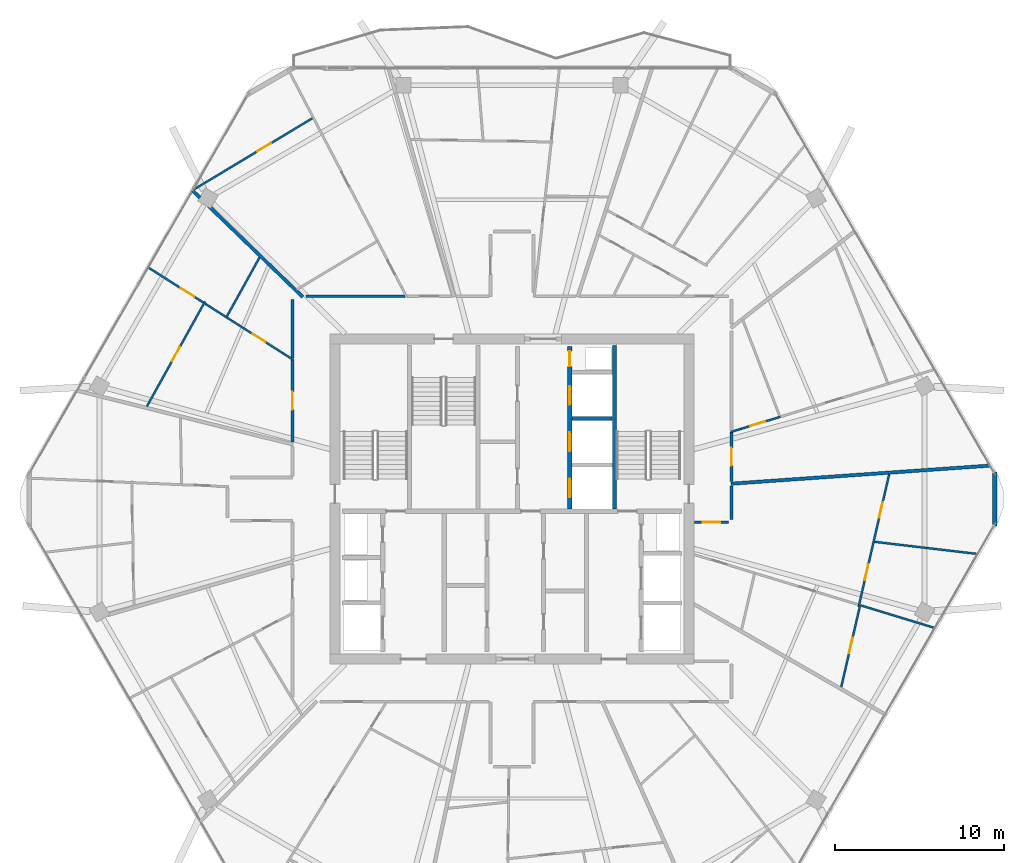
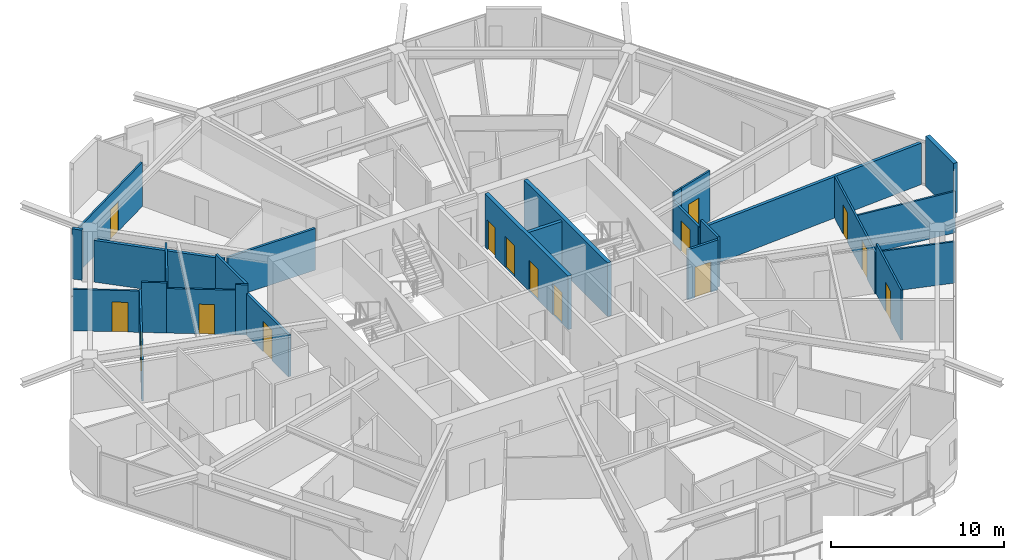
# One storey, part 22 of 26: 26 walls, 15 doors, 15 openings.
"""IFC4 building model written with IfcOpenShell, lengths in metres."""

from ifc_helpers import new_model, si_unit, direction, frame, frame_2d, origin, place, context, subcontext, project, spatial, rectangle, extrude, material, layer, layer_set, type_object, element, fill, save


model = new_model("IFC4")

# Units and contexts
model_context = context("Model", 3, precision=1e-05, world=origin(), true_north=direction((0.0, 1.0)))
body_context = subcontext(model_context, "Body", "Model", "MODEL_VIEW")
ifc_project = project(units=[si_unit("LENGTHUNIT", "METRE"), si_unit("AREAUNIT", "SQUARE_METRE"), si_unit("VOLUMEUNIT", "CUBIC_METRE"), si_unit("PLANEANGLEUNIT", "RADIAN"), si_unit("MASSUNIT", "GRAM", prefix="KILO")], contexts=[model_context])

# Site, building, storey
site_placement = place(None, origin())
site = spatial("IfcSite", under=ifc_project, at=site_placement, CompositionType="ELEMENT")
building_placement = place(site_placement, origin())
building = spatial("IfcBuilding", under=site, at=building_placement, Name="Zuhravey Tower", CompositionType="ELEMENT")
storey_placement = place(building_placement, frame((0.0, 0.0, 242.60009765625)))
storey = spatial("IfcBuildingStorey", under=building, at=storey_placement, Name="L61", CompositionType="ELEMENT", Elevation=242.60009765625)

# Wall, opening, door
ifc_material_1 = material(Name="Gypsum fire-rated stud partition")
ifc_layer_1 = layer(ifc_material_1, 0.159912109375)
ifc_layer_set_1 = layer_set([ifc_layer_1], Name="Gypsum fire-rated stud partition")
wall_type_1 = type_object("IfcWallType", Name="Corridor Fire Partition 160", PredefinedType="PARTITIONING", material=ifc_layer_set_1)
wall_1_placement = place(storey_placement, frame((22.969970703125, 40.27099609375, 0.0), z_axis=(0.0, 0.0, 1.0), x_axis=(0.0, -1.0, 0.0)))
wall_1 = element("IfcWall", 1, at=wall_1_placement, inside=storey, type_object=wall_type_1, Name="L61 IW16 Partition 029", PredefinedType="PARTITIONING", context=body_context, shape_type="SweptSolid", body=[
    extrude(rectangle(XDim=4.880615234375, YDim=0.159912109375, at=frame_2d((2.4404296875, 0.0))), origin(), (0.0, 0.0, 1.0), 2.949951171875),
])
opening_1_placement = place(wall_1_placement, frame((1.915283203125, 0.0, 0.0)))
opening_1 = element("IfcOpeningElement", 2, at=opening_1_placement, cuts=wall_1, Name="Opening APD1", PredefinedType="OPENING", context=body_context, shape_type="SweptSolid", body=[
    extrude(rectangle(XDim=1.050048828125, YDim=2.14990234375, at=frame_2d((0.52490234375, 1.074951171875))), frame((0.0, 0.092041015625, 0.0), z_axis=(0.0, -1.0, 0.0), x_axis=(1.0, 0.0, 0.0)), (0.0, 0.0, 1.0), 0.183837890625),
])
ifc_material_2 = material(Name="Solid-core oak fire-rated leaf")
door_type_1 = type_object("IfcDoorType", Name="Apartment Entrance Fire Door 1050x2150", OperationType="NOTDEFINED", PredefinedType="DOOR", material=ifc_material_2)
door_1_placement = place(opening_1_placement, frame((1.050048828125, 0.0, 0.0), z_axis=(0.0, 0.0, 1.0), x_axis=(-1.0, 0.0, 0.0)))
door_1 = element("IfcDoor", 3, at=door_1_placement, inside=storey, type_object=door_type_1, Name="L61 Door 029.1", OperationType="SINGLE_SWING_LEFT", OverallHeight=2.14990234375, OverallWidth=1.050048828125, PredefinedType="DOOR", context=body_context, shape_type="SweptSolid", body=[
    extrude(rectangle(XDim=1.050048828125, YDim=2.14990234375, at=frame_2d((0.52490234375, 1.074951171875))), frame((0.0, 0.02490234375, 0.0), z_axis=(0.0, -1.0, 0.0), x_axis=(1.0, 0.0, 0.0)), (0.0, 0.0, 1.0), 0.050048828125),
])
fill(opening_1, door_1)

wall_2_placement = place(storey_placement, frame((46.820068359375, 30.6201171875, 0.0), z_axis=(0.0, 0.0, 1.0), x_axis=(1.0, 0.0, 0.0)))
wall_2 = element("IfcWall", 4, at=wall_2_placement, inside=storey, type_object=wall_type_1, Name="L61 IW16 Partition 056", PredefinedType="PARTITIONING", context=body_context, shape_type="SweptSolid", body=[
    extrude(rectangle(XDim=2.030029296875, YDim=0.159912109375, at=frame_2d((1.01513671875, 0.0))), origin(), (0.0, 0.0, 1.0), 3.5498046875),
])
opening_2_placement = place(wall_2_placement, frame((0.489990234375, 0.0, 0.0)))
opening_2 = element("IfcOpeningElement", 5, at=opening_2_placement, cuts=wall_2, Name="Opening APD1", PredefinedType="OPENING", context=body_context, shape_type="SweptSolid", body=[
    extrude(rectangle(XDim=1.050048828125, YDim=2.14990234375, at=frame_2d((0.52490234375, 1.074951171875))), frame((0.0, 0.092041015625, 0.0), z_axis=(0.0, -1.0, 0.0), x_axis=(1.0, 0.0, 0.0)), (0.0, 0.0, 1.0), 0.183837890625),
])
door_2_placement = place(opening_2_placement, frame((1.050048828125, 0.0, 0.0), z_axis=(0.0, 0.0, 1.0), x_axis=(-1.0, 0.0, 0.0)))
door_2 = element("IfcDoor", 6, at=door_2_placement, inside=storey, type_object=door_type_1, Name="L61 Door 056.1", OperationType="SINGLE_SWING_LEFT", OverallHeight=2.14990234375, OverallWidth=1.050048828125, PredefinedType="DOOR", context=body_context, shape_type="SweptSolid", body=[
    extrude(rectangle(XDim=1.050048828125, YDim=2.14990234375, at=frame_2d((0.52490234375, 1.074951171875))), frame((0.0, 0.02490234375, 0.0), z_axis=(0.0, -1.0, 0.0), x_axis=(1.0, 0.0, 0.0)), (0.0, 0.0, 1.0), 0.050048828125),
])
fill(opening_2, door_2)

wall_3_placement = place(storey_placement, frame((49.030029296875, 33.04541015625, 0.0), z_axis=(0.0, 0.0, 1.0), x_axis=(0.0, 1.0, 0.0)))
wall_3 = element("IfcWall", 7, at=wall_3_placement, inside=storey, type_object=wall_type_1, Name="L61 IW16 Partition 060", PredefinedType="PARTITIONING", context=body_context, shape_type="SweptSolid", body=[
    extrude(rectangle(XDim=2.92724609375, YDim=0.159912109375, at=frame_2d((1.463623046875, 0.0))), origin(), (0.0, 0.0, 1.0), 2.949951171875),
])
opening_3_placement = place(wall_3_placement, frame((0.938720703125, 0.0, 0.0)))
opening_3 = element("IfcOpeningElement", 8, at=opening_3_placement, cuts=wall_3, Name="Opening APD1", PredefinedType="OPENING", context=body_context, shape_type="SweptSolid", body=[
    extrude(rectangle(XDim=1.050048828125, YDim=2.14990234375, at=frame_2d((0.52490234375, 1.074951171875))), frame((0.0, 0.092041015625, 0.0), z_axis=(0.0, -1.0, 0.0), x_axis=(1.0, 0.0, 0.0)), (0.0, 0.0, 1.0), 0.183837890625),
])
door_3_placement = place(opening_3_placement, frame((1.050048828125, 0.0, 0.0), z_axis=(0.0, 0.0, 1.0), x_axis=(-1.0, 0.0, 0.0)))
door_3 = element("IfcDoor", 9, at=door_3_placement, inside=storey, type_object=door_type_1, Name="L61 Door 060.1", OperationType="SINGLE_SWING_LEFT", OverallHeight=2.14990234375, OverallWidth=1.050048828125, PredefinedType="DOOR", context=body_context, shape_type="SweptSolid", body=[
    extrude(rectangle(XDim=1.050048828125, YDim=2.14990234375, at=frame_2d((0.52490234375, 1.074951171875))), frame((0.0, 0.02490234375, 0.0), z_axis=(0.0, -1.0, 0.0), x_axis=(1.0, 0.0, 0.0)), (0.0, 0.0, 1.0), 0.050048828125),
])
fill(opening_3, door_3)

# Walls
wall_4_placement = place(storey_placement, frame((29.655517578125, 44.030029296875, 0.0), z_axis=(0.0, 0.0, 1.0), x_axis=(-1.0, 0.0, 0.0)))
element("IfcWall", 10, at=wall_4_placement, inside=storey, type_object=wall_type_1, Name="L61 IW16 Partition 122", PredefinedType="PARTITIONING", context=body_context, shape_type="SweptSolid", body=[
    extrude(rectangle(XDim=5.868896484375, YDim=0.159912109375, at=frame_2d((2.9345703125, 0.0))), origin(), (0.0, 0.0, 1.0), 2.949951171875),
])
wall_5_placement = place(storey_placement, frame((22.969970703125, 43.85009765625, 0.0), z_axis=(0.0, 0.0, 1.0), x_axis=(0.0, -1.0, 0.0)))
element("IfcWall", 11, at=wall_5_placement, inside=storey, type_object=wall_type_1, Name="L61 IW16 Partition 123", PredefinedType="PARTITIONING", context=body_context, shape_type="SweptSolid", body=[
    extrude(rectangle(XDim=3.474853515625, YDim=0.159912109375, at=frame_2d((1.7373046875, 0.0))), origin(), (0.0, 0.0, 1.0), 3.5498046875),
])
wall_6_placement = place(storey_placement, frame((49.030029296875, 30.800048828125, 0.0), z_axis=(0.0, 0.0, 1.0), x_axis=(0.0, 1.0, 0.0)))
element("IfcWall", 12, at=wall_6_placement, inside=storey, type_object=wall_type_1, Name="L61 IW16 Partition 138", PredefinedType="PARTITIONING", context=body_context, shape_type="SweptSolid", body=[
    extrude(rectangle(XDim=1.976806640625, YDim=0.159912109375, at=frame_2d((0.98828125, 0.0))), origin(), (0.0, 0.0, 1.0), 3.5498046875),
])
ifc_material_3 = material(Name="Precast concrete C40/50", Category="concrete")
ifc_layer_2 = layer(ifc_material_3, 0.280029296875)
ifc_layer_set_2 = layer_set([ifc_layer_2], Name="Precast concrete C40/50")
wall_type_2 = type_object("IfcWallType", Name="Crown Architectural Wall 280", PredefinedType="SOLIDWALL", material=ifc_layer_set_2)
wall_7_placement = place(storey_placement, frame((64.64501953125, 33.607421875, 0.0), z_axis=(0.0, 0.0, 1.0), x_axis=(0.0, -1.0, 0.0)))
element("IfcWall", 13, at=wall_7_placement, inside=storey, type_object=wall_type_2, Name="L61 Rounded Corner Closure Wall EW28-12", PredefinedType="SOLIDWALL", context=body_context, shape_type="SweptSolid", body=[
    extrude(rectangle(XDim=3.21484375, YDim=0.280029296875, at=frame_2d((1.607421875, 0.0))), origin(), (0.0, 0.0, 1.0), 3.5498046875),
])
ifc_material_4 = material(Name="Concrete C50/60", Category="concrete")
ifc_layer_3 = layer(ifc_material_4, 0.25)
ifc_layer_set_3 = layer_set([ifc_layer_3], Name="Concrete C50/60")
wall_type_3 = type_object("IfcWallType", Name="Firefighting Shaft & Stair Wall 250", PredefinedType="SOLIDWALL", material=ifc_layer_set_3)
wall_8_placement = place(storey_placement, frame((42.074951171875, 31.39990234375, 0.0), z_axis=(0.0, 0.0, 1.0), x_axis=(0.0, 1.0, 0.0)))
element("IfcWall", 14, at=wall_8_placement, inside=storey, type_object=wall_type_3, Name="L61 FW25 Shaft Wall 006", PredefinedType="SOLIDWALL", context=body_context, shape_type="SweptSolid", body=[
    extrude(rectangle(XDim=9.7001953125, YDim=0.25, at=frame_2d((4.85009765625, 0.0))), origin(), (0.0, 0.0, 1.0), 3.7998046875),
])

# Wall, openings, doors
wall_9_placement = place(storey_placement, frame((39.425048828125, 31.39990234375, 0.0), z_axis=(0.0, 0.0, 1.0), x_axis=(0.0, 1.0, 0.0)))
wall_9 = element("IfcWall", 15, at=wall_9_placement, inside=storey, type_object=wall_type_3, Name="L61 FW25 Shaft Wall 008", PredefinedType="SOLIDWALL", context=body_context, shape_type="SweptSolid", body=[
    extrude(rectangle(XDim=9.650146484375, YDim=0.25, at=frame_2d((4.8251953125, 0.0))), origin(), (0.0, 0.0, 1.0), 3.7998046875),
])
opening_4_placement = place(wall_9_placement, frame((0.699951171875, 0.0, 0.0)))
opening_4 = element("IfcOpeningElement", 16, at=opening_4_placement, cuts=wall_9, Name="Opening LD1", PredefinedType="OPENING", context=body_context, shape_type="SweptSolid", body=[
    extrude(rectangle(XDim=1.10009765625, YDim=2.199951171875, at=frame_2d((0.550048828125, 1.10009765625))), frame((0.0, 0.136962890625, 0.0), z_axis=(0.0, -1.0, 0.0), x_axis=(1.0, 0.0, 0.0)), (0.0, 0.0, 1.0), 0.27392578125),
])
opening_5_placement = place(wall_9_placement, frame((3.449951171875, 0.0, 0.0)))
opening_5 = element("IfcOpeningElement", 17, at=opening_5_placement, cuts=wall_9, Name="Opening LD1", PredefinedType="OPENING", context=body_context, shape_type="SweptSolid", body=[
    extrude(rectangle(XDim=1.10009765625, YDim=2.199951171875, at=frame_2d((0.550048828125, 1.10009765625))), frame((0.0, 0.136962890625, 0.0), z_axis=(0.0, -1.0, 0.0), x_axis=(1.0, 0.0, 0.0)), (0.0, 0.0, 1.0), 0.27392578125),
])
opening_6_placement = place(wall_9_placement, frame((6.199951171875, 0.0, 0.0)))
opening_6 = element("IfcOpeningElement", 18, at=opening_6_placement, cuts=wall_9, Name="Opening LD1", PredefinedType="OPENING", context=body_context, shape_type="SweptSolid", body=[
    extrude(rectangle(XDim=1.10009765625, YDim=2.199951171875, at=frame_2d((0.550048828125, 1.10009765625))), frame((0.0, 0.136962890625, 0.0), z_axis=(0.0, -1.0, 0.0), x_axis=(1.0, 0.0, 0.0)), (0.0, 0.0, 1.0), 0.27392578125),
])
opening_7_placement = place(wall_9_placement, frame((8.469970703125, 0.0, 0.0)))
opening_7 = element("IfcOpeningElement", 19, at=opening_7_placement, cuts=wall_9, Name="Opening RSD1", PredefinedType="OPENING", context=body_context, shape_type="SweptSolid", body=[
    extrude(rectangle(XDim=0.89990234375, YDim=2.10009765625, at=frame_2d((0.449951171875, 1.050048828125))), frame((0.0, 0.136962890625, 0.0), z_axis=(0.0, -1.0, 0.0), x_axis=(1.0, 0.0, 0.0)), (0.0, 0.0, 1.0), 0.27392578125),
])
ifc_material_5 = material(Name="Brushed stainless steel", Category="steel")
door_type_2 = type_object("IfcDoorType", Name="Lift Landing Sliding Door 1100x2200", OperationType="DOUBLE_DOOR_SLIDING", PredefinedType="DOOR", material=ifc_material_5)
door_4_placement = place(opening_4_placement, origin())
door_4 = element("IfcDoor", 20, at=door_4_placement, inside=storey, type_object=door_type_2, Name="L61 Lift PL7 Landing Door", OperationType="DOUBLE_DOOR_SLIDING", OverallHeight=2.199951171875, OverallWidth=1.10009765625, PredefinedType="DOOR", context=body_context, shape_type="SweptSolid", body=[
    extrude(rectangle(XDim=1.10009765625, YDim=2.199951171875, at=frame_2d((0.550048828125, 1.10009765625))), frame((0.0, 0.02490234375, 0.0), z_axis=(0.0, -1.0, 0.0), x_axis=(1.0, 0.0, 0.0)), (0.0, 0.0, 1.0), 0.050048828125),
])
fill(opening_4, door_4)
door_5_placement = place(opening_5_placement, origin())
door_5 = element("IfcDoor", 21, at=door_5_placement, inside=storey, type_object=door_type_2, Name="L61 Lift PL8 Landing Door", OperationType="DOUBLE_DOOR_SLIDING", OverallHeight=2.199951171875, OverallWidth=1.10009765625, PredefinedType="DOOR", context=body_context, shape_type="SweptSolid", body=[
    extrude(rectangle(XDim=1.10009765625, YDim=2.199951171875, at=frame_2d((0.550048828125, 1.10009765625))), frame((0.0, 0.02490234375, 0.0), z_axis=(0.0, -1.0, 0.0), x_axis=(1.0, 0.0, 0.0)), (0.0, 0.0, 1.0), 0.050048828125),
])
fill(opening_5, door_5)
door_6_placement = place(opening_6_placement, origin())
door_6 = element("IfcDoor", 22, at=door_6_placement, inside=storey, type_object=door_type_2, Name="L61 Lift PL9 Landing Door", OperationType="DOUBLE_DOOR_SLIDING", OverallHeight=2.199951171875, OverallWidth=1.10009765625, PredefinedType="DOOR", context=body_context, shape_type="SweptSolid", body=[
    extrude(rectangle(XDim=1.10009765625, YDim=2.199951171875, at=frame_2d((0.550048828125, 1.10009765625))), frame((0.0, 0.02490234375, 0.0), z_axis=(0.0, -1.0, 0.0), x_axis=(1.0, 0.0, 0.0)), (0.0, 0.0, 1.0), 0.050048828125),
])
fill(opening_6, door_6)
ifc_material_6 = material(Name="Galvanised fire-rated steel access leaf", Category="steel")
door_type_3 = type_object("IfcDoorType", Name="Riser & Shaft Access Fire Door 900x2100", OperationType="NOTDEFINED", PredefinedType="DOOR", material=ifc_material_6)
door_7_placement = place(opening_7_placement, origin())
door_7 = element("IfcDoor", 23, at=door_7_placement, inside=storey, type_object=door_type_3, Name="L61 North Riser Door", OperationType="SINGLE_SWING_RIGHT", OverallHeight=2.10009765625, OverallWidth=0.89990234375, PredefinedType="DOOR", context=body_context, shape_type="SweptSolid", body=[
    extrude(rectangle(XDim=0.89990234375, YDim=2.10009765625, at=frame_2d((0.449951171875, 1.050048828125))), frame((0.0, 0.02490234375, 0.0), z_axis=(0.0, -1.0, 0.0), x_axis=(1.0, 0.0, 0.0)), (0.0, 0.0, 1.0), 0.050048828125),
])
fill(opening_7, door_7)

# Walls
ifc_material_7 = material(Name="Gypsum double-stud party assembly")
ifc_layer_4 = layer(ifc_material_7, 0.199951171875)
ifc_layer_set_4 = layer_set([ifc_layer_4], Name="Gypsum double-stud party assembly")
wall_type_4 = type_object("IfcWallType", Name="Inter-Tenancy Party Wall 200", PredefinedType="PARTITIONING", material=ifc_layer_set_4)
wall_10_placement = place(storey_placement, frame((23.583984375, 43.989990234375, 0.0), z_axis=(0.0, 0.0, 1.0), x_axis=(-0.719338080926, 0.694660150958, 0.0)))
element("IfcWall", 24, at=wall_10_placement, inside=storey, type_object=wall_type_4, Name="L61 IW20 Partition 078", PredefinedType="PARTITIONING", context=body_context, shape_type="SweptSolid", body=[
    extrude(rectangle(XDim=7.76611328125, YDim=0.199951171875, at=frame_2d((3.883056640625, 0.0))), origin(), (0.0, 0.0, 1.0), 2.949951171875),
])
wall_11_placement = place(storey_placement, frame((17.486328125, 49.87841796875, 0.0), z_axis=(0.0, 0.0, 1.0), x_axis=(-0.719422178176, 0.694573055587, 0.0)))
element("IfcWall", 25, at=wall_11_placement, inside=storey, type_object=wall_type_4, Name="L61 IW20 Partition 079", PredefinedType="PARTITIONING", context=body_context, shape_type="SweptSolid", body=[
    extrude(rectangle(XDim=0.609130859375, YDim=0.199951171875, at=frame_2d((0.3046875, 0.0))), origin(), (0.0, 0.0, 1.0), 3.5498046875),
])
wall_12_placement = place(storey_placement, frame((48.989990234375, 32.908203125, 0.0), z_axis=(0.0, 0.0, 1.0), x_axis=(0.997563993595, 0.069757284087, 0.0)))
element("IfcWall", 26, at=wall_12_placement, inside=storey, type_object=wall_type_4, Name="L61 IW20 Partition 108", PredefinedType="PARTITIONING", context=body_context, shape_type="SweptSolid", body=[
    extrude(rectangle(XDim=15.42041015625, YDim=0.199951171875, at=frame_2d((7.710205078125, 0.0))), origin(), (0.0, 0.0, 1.0), 2.929931640625),
])
ifc_material_8 = material(Name="Gypsum acoustic stud assembly")
ifc_layer_5 = layer(ifc_material_8, 0.219970703125)
ifc_layer_set_5 = layer_set([ifc_layer_5], Name="Gypsum acoustic stud assembly")
wall_type_5 = type_object("IfcWallType", Name="School Acoustic Compartment Wall 220", PredefinedType="PARTITIONING", material=ifc_layer_set_5)
wall_13_placement = place(storey_placement, frame((39.55810546875, 36.77490234375, 0.0), z_axis=(0.0, 0.0, 1.0), x_axis=(1.0, 0.0, 0.0)))
element("IfcWall", 27, at=wall_13_placement, inside=storey, type_object=wall_type_5, Name="L61 IW22 Partition 071", PredefinedType="PARTITIONING", context=body_context, shape_type="SweptSolid", body=[
    extrude(rectangle(XDim=2.3837890625, YDim=0.219970703125, at=frame_2d((1.19189453125, 0.0))), origin(), (0.0, 0.0, 1.0), 3.5498046875),
])

# Wall, opening, door
ifc_material_9 = material(Name="Gypsum metal-stud partition")
ifc_layer_6 = layer(ifc_material_9, 0.1201171875)
ifc_layer_set_6 = layer_set([ifc_layer_6], Name="Gypsum metal-stud partition")
wall_type_6 = type_object("IfcWallType", Name="Unit Internal Partition 120", PredefinedType="PARTITIONING", material=ifc_layer_set_6)
wall_14_placement = place(storey_placement, frame((24.152099609375, 54.59326171875, 0.0), z_axis=(0.0, 0.0, 1.0), x_axis=(-0.857165830908, -0.51504052105, 0.0)))
wall_14 = element("IfcWall", 28, at=wall_14_placement, inside=storey, type_object=wall_type_6, Name="L61 IW12 Partition 023", PredefinedType="PARTITIONING", context=body_context, shape_type="SweptSolid", body=[
    extrude(rectangle(XDim=8.170654296875, YDim=0.1201171875, at=frame_2d((4.08544921875, 0.0))), origin(), (0.0, 0.0, 1.0), 3.121826171875),
])
opening_8_placement = place(wall_14_placement, frame((2.8662109375, 0.0, 0.0)))
opening_8 = element("IfcOpeningElement", 29, at=opening_8_placement, cuts=wall_14, Name="Opening IND1", PredefinedType="OPENING", context=body_context, shape_type="SweptSolid", body=[
    extrude(rectangle(XDim=0.949951171875, YDim=2.10009765625, at=frame_2d((0.47509765625, 1.050048828125))), frame((0.0, 0.072021484375, 0.0), z_axis=(0.0, -1.0, 0.0), x_axis=(1.0, 0.0, 0.0)), (0.0, 0.0, 1.0), 0.14404296875),
])
ifc_material_10 = material(Name="Painted engineered timber leaf", Category="wood")
door_type_4 = type_object("IfcDoorType", Name="Internal Room & Bedroom Door 950x2100", OperationType="NOTDEFINED", PredefinedType="DOOR", material=ifc_material_10)
door_8_placement = place(opening_8_placement, frame((0.949951171875, 0.0, 0.0), z_axis=(0.0, 0.0, 1.0), x_axis=(-1.0, 0.0, 0.0)))
door_8 = element("IfcDoor", 30, at=door_8_placement, inside=storey, type_object=door_type_4, Name="Apartment L61-01 Kitchen Door", OperationType="SINGLE_SWING_RIGHT", OverallHeight=2.10009765625, OverallWidth=0.949951171875, PredefinedType="DOOR", context=body_context, shape_type="SweptSolid", body=[
    extrude(rectangle(XDim=0.949951171875, YDim=2.10009765625, at=frame_2d((0.47509765625, 1.050048828125))), frame((0.0, 0.02490234375, 0.0), z_axis=(0.0, -1.0, 0.0), x_axis=(1.0, 0.0, 0.0)), (0.0, 0.0, 1.0), 0.050048828125),
])
fill(opening_8, door_8)

wall_15_placement = place(storey_placement, frame((17.781494140625, 43.716064453125, 0.0), z_axis=(0.0, 0.0, 1.0), x_axis=(-0.484799862098, -0.874625116098, 0.0)))
wall_15 = element("IfcWall", 31, at=wall_15_placement, inside=storey, type_object=wall_type_6, Name="L61 IW12 Partition 025", PredefinedType="PARTITIONING", context=body_context, shape_type="SweptSolid", body=[
    extrude(rectangle(XDim=7.107666015625, YDim=0.1201171875, at=frame_2d((3.5537109375, 0.0))), origin(), (0.0, 0.0, 1.0), 2.949951171875),
])
opening_9_placement = place(wall_15_placement, frame((3.078857421875, 0.0, 0.0)))
opening_9 = element("IfcOpeningElement", 32, at=opening_9_placement, cuts=wall_15, Name="Opening IND1", PredefinedType="OPENING", context=body_context, shape_type="SweptSolid", body=[
    extrude(rectangle(XDim=0.949951171875, YDim=2.10009765625, at=frame_2d((0.47509765625, 1.050048828125))), frame((0.0, 0.072021484375, 0.0), z_axis=(0.0, -1.0, 0.0), x_axis=(1.0, 0.0, 0.0)), (0.0, 0.0, 1.0), 0.14404296875),
])
door_9_placement = place(opening_9_placement, frame((0.949951171875, 0.0, 0.0), z_axis=(0.0, 0.0, 1.0), x_axis=(-1.0, 0.0, 0.0)))
door_9 = element("IfcDoor", 33, at=door_9_placement, inside=storey, type_object=door_type_4, Name="Apartment L61-02 Family Study Door", OperationType="SINGLE_SWING_RIGHT", OverallHeight=2.10009765625, OverallWidth=0.949951171875, PredefinedType="DOOR", context=body_context, shape_type="SweptSolid", body=[
    extrude(rectangle(XDim=0.949951171875, YDim=2.10009765625, at=frame_2d((0.47509765625, 1.050048828125))), frame((0.0, 0.02490234375, 0.0), z_axis=(0.0, -1.0, 0.0), x_axis=(1.0, 0.0, 0.0)), (0.0, 0.0, 1.0), 0.050048828125),
])
fill(opening_9, door_9)

wall_16_placement = place(storey_placement, frame((22.39990234375, 40.657470703125, 0.0), z_axis=(0.0, 0.0, 1.0), x_axis=(-0.843568310758, 0.537021885109, 0.0)))
wall_16 = element("IfcWall", 34, at=wall_16_placement, inside=storey, type_object=wall_type_6, Name="L61 IW12 Partition 026", PredefinedType="PARTITIONING", context=body_context, shape_type="SweptSolid", body=[
    extrude(rectangle(XDim=3.992431640625, YDim=0.1201171875, at=frame_2d((1.99609375, 0.0))), origin(), (0.0, 0.0, 1.0), 3.14990234375),
])
opening_10_placement = place(wall_16_placement, frame((1.226806640625, 0.0, 0.0)))
opening_10 = element("IfcOpeningElement", 35, at=opening_10_placement, cuts=wall_16, Name="Opening WCD1", PredefinedType="OPENING", context=body_context, shape_type="SweptSolid", body=[
    extrude(rectangle(XDim=0.89990234375, YDim=2.10009765625, at=frame_2d((0.449951171875, 1.050048828125))), frame((0.0, 0.072021484375, 0.0), z_axis=(0.0, -1.0, 0.0), x_axis=(1.0, 0.0, 0.0)), (0.0, 0.0, 1.0), 0.14404296875),
])
ifc_material_11 = material(Name="Moisture-resistant timber leaf", Category="wood")
door_type_5 = type_object("IfcDoorType", Name="Bathroom & WC Internal Door 900x2100", OperationType="NOTDEFINED", PredefinedType="DOOR", material=ifc_material_11)
door_10_placement = place(opening_10_placement, frame((0.89990234375, 0.0, 0.0), z_axis=(0.0, 0.0, 1.0), x_axis=(-1.0, 0.0, 0.0)))
door_10 = element("IfcDoor", 36, at=door_10_placement, inside=storey, type_object=door_type_5, Name="Apartment L61-02 Bathroom Door", OperationType="SINGLE_SWING_LEFT", OverallHeight=2.10009765625, OverallWidth=0.89990234375, PredefinedType="DOOR", context=body_context, shape_type="SweptSolid", body=[
    extrude(rectangle(XDim=0.89990234375, YDim=2.10009765625, at=frame_2d((0.449951171875, 1.050048828125))), frame((0.0, 0.02490234375, 0.0), z_axis=(0.0, -1.0, 0.0), x_axis=(1.0, 0.0, 0.0)), (0.0, 0.0, 1.0), 0.050048828125),
])
fill(opening_10, door_10)

# Wall
wall_17_placement = place(storey_placement, frame((19.031982421875, 42.801513671875, 0.0), z_axis=(0.0, 0.0, 1.0), x_axis=(-0.843627335813, 0.536929155727, 0.0)))
element("IfcWall", 37, at=wall_17_placement, inside=storey, type_object=wall_type_6, Name="L61 IW12 Partition 027", PredefinedType="PARTITIONING", context=body_context, shape_type="SweptSolid", body=[
    extrude(rectangle(XDim=1.471923828125, YDim=0.1201171875, at=frame_2d((0.73583984375, 0.0))), origin(), (0.0, 0.0, 1.0), 3.5498046875),
])

# Wall, opening, door
wall_18_placement = place(storey_placement, frame((17.675537109375, 43.6650390625, 0.0), z_axis=(0.0, 0.0, 1.0), x_axis=(-0.843578359507, 0.537006099939, 0.0)))
wall_18 = element("IfcWall", 38, at=wall_18_placement, inside=storey, type_object=wall_type_6, Name="L61 IW12 Partition 028", PredefinedType="PARTITIONING", context=body_context, shape_type="SweptSolid", body=[
    extrude(rectangle(XDim=3.870361328125, YDim=0.1201171875, at=frame_2d((1.93505859375, 0.0))), origin(), (0.0, 0.0, 1.0), 2.929931640625),
])
opening_11_placement = place(wall_18_placement, frame((0.631103515625, 0.0, 0.0)))
opening_11 = element("IfcOpeningElement", 39, at=opening_11_placement, cuts=wall_18, Name="Opening IND1", PredefinedType="OPENING", context=body_context, shape_type="SweptSolid", body=[
    extrude(rectangle(XDim=0.949951171875, YDim=2.10009765625, at=frame_2d((0.47509765625, 1.050048828125))), frame((0.0, 0.072021484375, 0.0), z_axis=(0.0, -1.0, 0.0), x_axis=(1.0, 0.0, 0.0)), (0.0, 0.0, 1.0), 0.14404296875),
])
door_11_placement = place(opening_11_placement, frame((0.949951171875, 0.0, 0.0), z_axis=(0.0, 0.0, 1.0), x_axis=(-1.0, 0.0, 0.0)))
door_11 = element("IfcDoor", 40, at=door_11_placement, inside=storey, type_object=door_type_4, Name="Apartment L61-02 Kitchen Door", OperationType="SINGLE_SWING_RIGHT", OverallHeight=2.10009765625, OverallWidth=0.949951171875, PredefinedType="DOOR", context=body_context, shape_type="SweptSolid", body=[
    extrude(rectangle(XDim=0.949951171875, YDim=2.10009765625, at=frame_2d((0.47509765625, 1.050048828125))), frame((0.0, 0.02490234375, 0.0), z_axis=(0.0, -1.0, 0.0), x_axis=(1.0, 0.0, 0.0)), (0.0, 0.0, 1.0), 0.050048828125),
])
fill(opening_11, door_11)

# Wall, openings, doors
wall_19_placement = place(storey_placement, frame((56.5712890625, 25.621826171875, 0.0), z_axis=(0.0, 0.0, 1.0), x_axis=(0.224956917684, 0.974368711108, 0.0)))
wall_19 = element("IfcWall", 41, at=wall_19_placement, inside=storey, type_object=wall_type_6, Name="L61 IW12 Partition 052", PredefinedType="PARTITIONING", context=body_context, shape_type="SweptSolid", body=[
    extrude(rectangle(XDim=8.053955078125, YDim=0.1201171875, at=frame_2d((4.02685546875, 0.0))), origin(), (0.0, 0.0, 1.0), 2.949951171875),
])
opening_12_placement = place(wall_19_placement, frame((1.619384765625, 0.0, 0.0)))
opening_12 = element("IfcOpeningElement", 42, at=opening_12_placement, cuts=wall_19, Name="Opening IND1", PredefinedType="OPENING", context=body_context, shape_type="SweptSolid", body=[
    extrude(rectangle(XDim=0.949951171875, YDim=2.10009765625, at=frame_2d((0.47509765625, 1.050048828125))), frame((0.0, 0.072021484375, 0.0), z_axis=(0.0, -1.0, 0.0), x_axis=(1.0, 0.0, 0.0)), (0.0, 0.0, 1.0), 0.14404296875),
])
opening_13_placement = place(wall_19_placement, frame((5.405517578125, 0.0, 0.0)))
opening_13 = element("IfcOpeningElement", 43, at=opening_13_placement, cuts=wall_19, Name="Opening IND1", PredefinedType="OPENING", context=body_context, shape_type="SweptSolid", body=[
    extrude(rectangle(XDim=0.949951171875, YDim=2.10009765625, at=frame_2d((0.47509765625, 1.050048828125))), frame((0.0, 0.072021484375, 0.0), z_axis=(0.0, -1.0, 0.0), x_axis=(1.0, 0.0, 0.0)), (0.0, 0.0, 1.0), 0.14404296875),
])
door_12_placement = place(opening_12_placement, frame((0.949951171875, 0.0, 0.0), z_axis=(0.0, 0.0, 1.0), x_axis=(-1.0, 0.0, 0.0)))
door_12 = element("IfcDoor", 44, at=door_12_placement, inside=storey, type_object=door_type_4, Name="Apartment L61-08 Family Study Door", OperationType="SINGLE_SWING_RIGHT", OverallHeight=2.10009765625, OverallWidth=0.949951171875, PredefinedType="DOOR", context=body_context, shape_type="SweptSolid", body=[
    extrude(rectangle(XDim=0.949951171875, YDim=2.10009765625, at=frame_2d((0.47509765625, 1.050048828125))), frame((0.0, 0.02490234375, 0.0), z_axis=(0.0, -1.0, 0.0), x_axis=(1.0, 0.0, 0.0)), (0.0, 0.0, 1.0), 0.050048828125),
])
fill(opening_12, door_12)
door_13_placement = place(opening_13_placement, frame((0.949951171875, 0.0, 0.0), z_axis=(0.0, 0.0, 1.0), x_axis=(-1.0, 0.0, 0.0)))
door_13 = element("IfcDoor", 45, at=door_13_placement, inside=storey, type_object=door_type_4, Name="Apartment L61-08 Dining Room Door", OperationType="SINGLE_SWING_LEFT", OverallHeight=2.10009765625, OverallWidth=0.949951171875, PredefinedType="DOOR", context=body_context, shape_type="SweptSolid", body=[
    extrude(rectangle(XDim=0.949951171875, YDim=2.10009765625, at=frame_2d((0.47509765625, 1.050048828125))), frame((0.0, 0.02490234375, 0.0), z_axis=(0.0, -1.0, 0.0), x_axis=(1.0, 0.0, 0.0)), (0.0, 0.0, 1.0), 0.050048828125),
])
fill(opening_13, door_13)

# Wall, opening, door
wall_20_placement = place(storey_placement, frame((55.535400390625, 20.83251953125, 0.0), z_axis=(0.0, 0.0, 1.0), x_axis=(0.224979599368, 0.974363474207, 0.0)))
wall_20 = element("IfcWall", 46, at=wall_20_placement, inside=storey, type_object=wall_type_6, Name="L61 IW12 Partition 055", PredefinedType="PARTITIONING", context=body_context, shape_type="SweptSolid", body=[
    extrude(rectangle(XDim=4.8994140625, YDim=0.1201171875, at=frame_2d((2.44970703125, 0.0))), origin(), (0.0, 0.0, 1.0), 3.5498046875),
])
opening_14_placement = place(wall_20_placement, frame((2.07275390625, 0.0, 0.0)))
opening_14 = element("IfcOpeningElement", 47, at=opening_14_placement, cuts=wall_20, Name="Opening IND1", PredefinedType="OPENING", context=body_context, shape_type="SweptSolid", body=[
    extrude(rectangle(XDim=0.949951171875, YDim=2.10009765625, at=frame_2d((0.47509765625, 1.050048828125))), frame((0.0, 0.072021484375, 0.0), z_axis=(0.0, -1.0, 0.0), x_axis=(1.0, 0.0, 0.0)), (0.0, 0.0, 1.0), 0.14404296875),
])
door_14_placement = place(opening_14_placement, frame((0.949951171875, 0.0, 0.0), z_axis=(0.0, 0.0, 1.0), x_axis=(-1.0, 0.0, 0.0)))
door_14 = element("IfcDoor", 48, at=door_14_placement, inside=storey, type_object=door_type_4, Name="Apartment L61-08 Bedroom 1 Door", OperationType="SINGLE_SWING_RIGHT", OverallHeight=2.10009765625, OverallWidth=0.949951171875, PredefinedType="DOOR", context=body_context, shape_type="SweptSolid", body=[
    extrude(rectangle(XDim=0.949951171875, YDim=2.10009765625, at=frame_2d((0.47509765625, 1.050048828125))), frame((0.0, 0.02490234375, 0.0), z_axis=(0.0, -1.0, 0.0), x_axis=(1.0, 0.0, 0.0)), (0.0, 0.0, 1.0), 0.050048828125),
])
fill(opening_14, door_14)

wall_21_placement = place(storey_placement, frame((49.60009765625, 36.168212890625, 0.0), z_axis=(0.0, 0.0, 1.0), x_axis=(0.956099580732, 0.293041962395, 0.0)))
wall_21 = element("IfcWall", 49, at=wall_21_placement, inside=storey, type_object=wall_type_6, Name="L61 IW12 Partition 057", PredefinedType="PARTITIONING", context=body_context, shape_type="SweptSolid", body=[
    extrude(rectangle(XDim=2.4326171875, YDim=0.1201171875, at=frame_2d((1.21630859375, 0.0))), origin(), (0.0, 0.0, 1.0), 3.5498046875),
])
opening_15_placement = place(wall_21_placement, frame((0.57177734375, 0.0, 0.0)))
opening_15 = element("IfcOpeningElement", 50, at=opening_15_placement, cuts=wall_21, Name="Opening WCD1", PredefinedType="OPENING", context=body_context, shape_type="SweptSolid", body=[
    extrude(rectangle(XDim=0.89990234375, YDim=2.10009765625, at=frame_2d((0.449951171875, 1.050048828125))), frame((0.0, 0.072021484375, 0.0), z_axis=(0.0, -1.0, 0.0), x_axis=(1.0, 0.0, 0.0)), (0.0, 0.0, 1.0), 0.14404296875),
])
door_15_placement = place(opening_15_placement, origin())
door_15 = element("IfcDoor", 51, at=door_15_placement, inside=storey, type_object=door_type_5, Name="Apartment L61-09 Bathroom Door", OperationType="SINGLE_SWING_RIGHT", OverallHeight=2.10009765625, OverallWidth=0.89990234375, PredefinedType="DOOR", context=body_context, shape_type="SweptSolid", body=[
    extrude(rectangle(XDim=0.89990234375, YDim=2.10009765625, at=frame_2d((0.449951171875, 1.050048828125))), frame((0.0, 0.02490234375, 0.0), z_axis=(0.0, -1.0, 0.0), x_axis=(1.0, 0.0, 0.0)), (0.0, 0.0, 1.0), 0.050048828125),
])
fill(opening_15, door_15)

# Walls
wall_22_placement = place(storey_placement, frame((23.00732421875, 40.27099609375, 0.0), z_axis=(0.0, 0.0, 1.0), x_axis=(-0.843703375108, 0.536809663503, 0.0)))
element("IfcWall", 52, at=wall_22_placement, inside=storey, type_object=wall_type_6, Name="L61 IW12 Partition 080", PredefinedType="PARTITIONING", context=body_context, shape_type="SweptSolid", body=[
    extrude(rectangle(XDim=0.719970703125, YDim=0.1201171875, at=frame_2d((0.35986328125, 0.0))), origin(), (0.0, 0.0, 1.0), 3.5498046875),
])
wall_23_placement = place(storey_placement, frame((21.0126953125, 46.322998046875, 0.0), z_axis=(0.0, 0.0, 1.0), x_axis=(-0.484828920672, -0.874609008461, 0.0)))
element("IfcWall", 53, at=wall_23_placement, inside=storey, type_object=wall_type_6, Name="L61 IW12 Partition 081", PredefinedType="PARTITIONING", context=body_context, shape_type="SweptSolid", body=[
    extrude(rectangle(XDim=3.9736328125, YDim=0.1201171875, at=frame_2d((1.98681640625, 0.0))), origin(), (0.0, 0.0, 1.0), 3.5498046875),
])
wall_24_placement = place(storey_placement, frame((57.527099609375, 29.459716796875, 0.0), z_axis=(0.0, 0.0, 1.0), x_axis=(0.993110118833, -0.117184861953, 0.0)))
element("IfcWall", 54, at=wall_24_placement, inside=storey, type_object=wall_type_6, Name="L61 IW12 Partition 105", PredefinedType="PARTITIONING", context=body_context, shape_type="SweptSolid", body=[
    extrude(rectangle(XDim=6.18359375, YDim=0.1201171875, at=frame_2d((3.091796875, 0.0))), origin(), (0.0, 0.0, 1.0), 2.929931640625),
])
wall_25_placement = place(storey_placement, frame((56.6591796875, 25.69970703125, 0.0), z_axis=(0.0, 0.0, 1.0), x_axis=(0.9564987051, -0.291736571484, 0.0)))
element("IfcWall", 55, at=wall_25_placement, inside=storey, type_object=wall_type_6, Name="L61 IW12 Partition 106", PredefinedType="PARTITIONING", context=body_context, shape_type="SweptSolid", body=[
    extrude(rectangle(XDim=4.646240234375, YDim=0.1201171875, at=frame_2d((2.3232421875, 0.0))), origin(), (0.0, 0.0, 1.0), 2.929931640625),
])
wall_26_placement = place(storey_placement, frame((48.986083984375, 35.980224609375, 0.0), z_axis=(0.0, 0.0, 1.0), x_axis=(0.956189096287, 0.292749743197, 0.0)))
element("IfcWall", 56, at=wall_26_placement, inside=storey, type_object=wall_type_6, Name="L61 IW12 Partition 109", PredefinedType="PARTITIONING", context=body_context, shape_type="SweptSolid", body=[
    extrude(rectangle(XDim=0.64208984375, YDim=0.1201171875, at=frame_2d((0.321044921875, 0.0))), origin(), (0.0, 0.0, 1.0), 3.5498046875),
])

save(model, "model.ifc")
